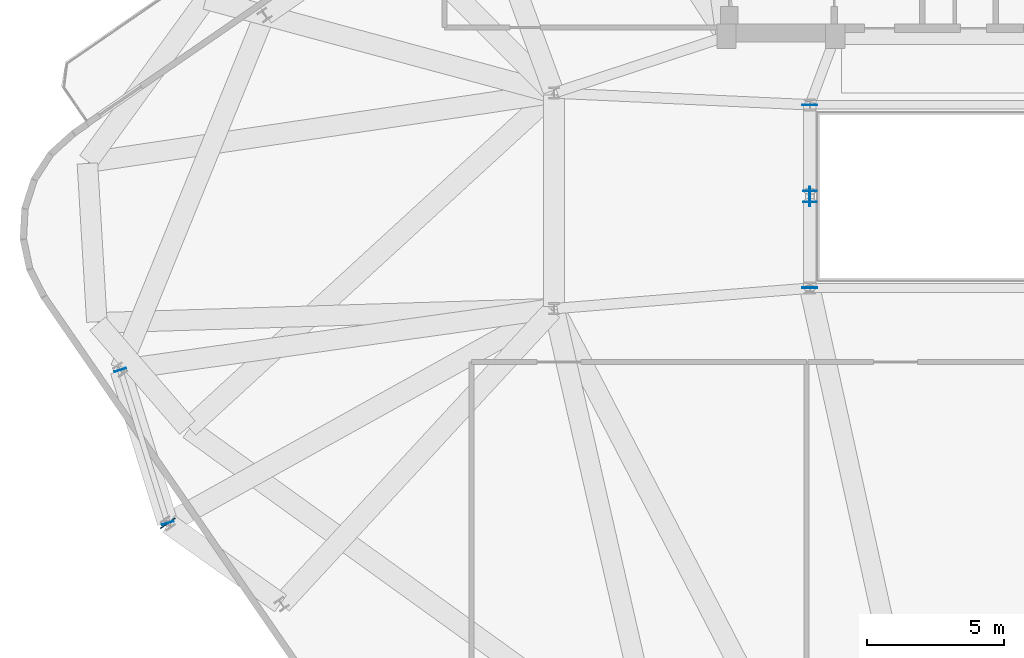
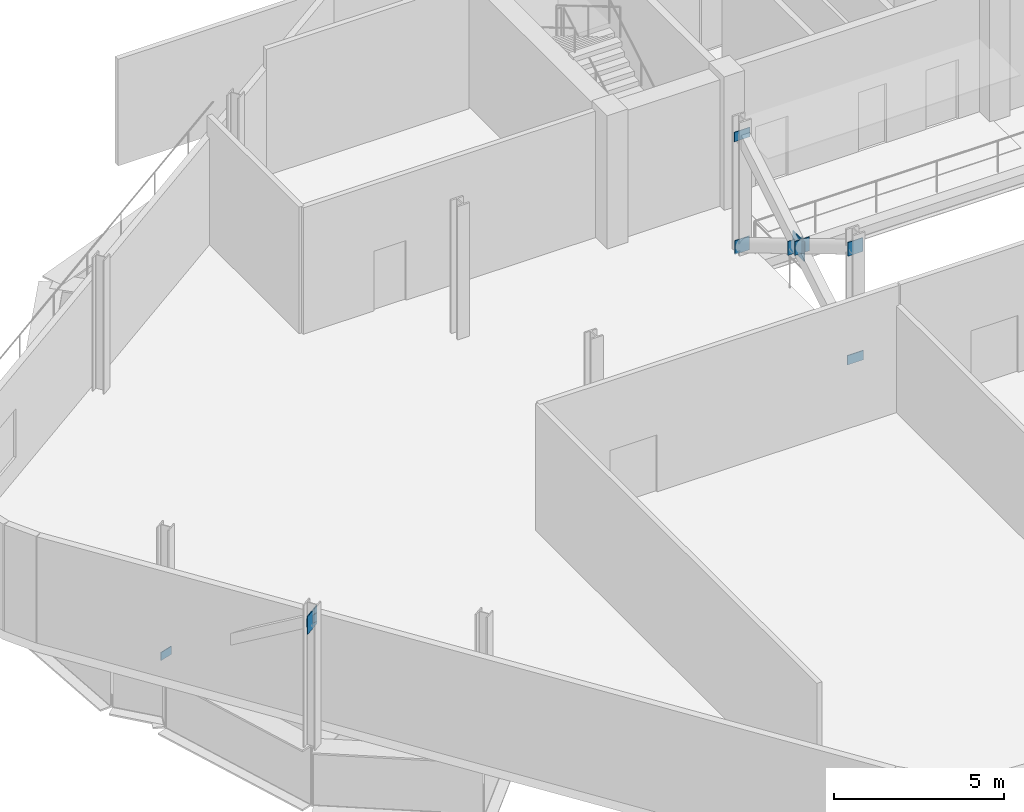
# One storey, part 5 of 13: 10 plates.
"""IFC4 building model written with IfcOpenShell, lengths in metres."""

from ifc_helpers import new_model, si_unit, direction, frame, origin, origin_2d, place, context, subcontext, project, spatial, rectangle, extrude, source, transform, mapped, material, layer, layer_set, type_object, element, save


model = new_model("IFC4")

# Units and contexts
model_context = context("Model", 3, precision=1e-05, world=origin(), true_north=direction((0.0, 1.0)))
body_context = subcontext(model_context, "Body", "Model", "MODEL_VIEW")
ifc_project = project(units=[si_unit("LENGTHUNIT", "METRE"), si_unit("AREAUNIT", "SQUARE_METRE"), si_unit("VOLUMEUNIT", "CUBIC_METRE"), si_unit("PLANEANGLEUNIT", "RADIAN"), si_unit("MASSUNIT", "GRAM", prefix="KILO")], contexts=[model_context])

# Site, building, storey
site_placement = place(None, origin())
site = spatial("IfcSite", under=ifc_project, at=site_placement, CompositionType="ELEMENT")
building_placement = place(site_placement, origin())
building = spatial("IfcBuilding", under=site, at=building_placement, Name="Varnelok Gate Tower", CompositionType="ELEMENT")
storey_placement = place(building_placement, frame((0.0, 0.0, 253.39990234375)))
storey = spatial("IfcBuildingStorey", under=building, at=storey_placement, Name="L65", CompositionType="ELEMENT", Elevation=253.39990234375)

# Plates
ifc_material = material(Name="Structural Steel ASTM A572 Grade 50", Category="steel")
ifc_layer_1 = layer(ifc_material, 0.02490234375)
ifc_layer_set_1 = layer_set([ifc_layer_1], Name="Structural Steel ASTM A572 Grade 50")
plate_type_1 = type_object("IfcPlateType", Name="PLT-ENDCAP-25", PredefinedType="SHEET", material=ifc_layer_set_1)
shared_shape_1 = source(origin(), body_context, "Body", "SweptSolid", [
    extrude(rectangle(XDim=0.02490234375, YDim=0.43994140625, at=origin_2d()), origin(), (0.0, 0.0, 1.0), 0.2900390625),
])
for number, where, z_axis, x_axis, name in (
    (1, (8.546630859375, 16.5576171875, 0.062744140625), (0.0, 0.0, 1.0), (0.296291541179, -0.955097546131, 0.0), "L65 hollow member sealed end plate 1"),
    (2, (10.281005859375, 10.966796875, 4.04736328125), (0.0, 0.0, 1.0), (0.296291541179, -0.955097546131, 0.0), "L65 hollow member sealed end plate 2"),
):
    element("IfcPlate", number, at=place(storey_placement, frame(where, z_axis=z_axis, x_axis=x_axis)), inside=storey, type_object=plate_type_1, Name=name, PredefinedType="SHEET", context=body_context, shape_type="MappedRepresentation", body=[
        mapped(shared_shape_1, transform((0.0, 0.0, 0.0), scale=1.0)),
    ])
ifc_layer_2 = layer(ifc_material, 0.031982421875)
ifc_layer_set_2 = layer_set([ifc_layer_2], Name="Structural Steel ASTM A572 Grade 50")
plate_type_2 = type_object("IfcPlateType", Name="PLT-GUSSET-32", PredefinedType="USERDEFINED", material=ifc_layer_set_2)
shared_shape_2 = source(origin(), body_context, "Body", "SweptSolid", [
    extrude(rectangle(XDim=0.64990234375, YDim=0.031982421875, at=origin_2d()), origin(), (0.0, 0.0, 1.0), 0.64990234375),
])
plate_1_placement = place(storey_placement, frame((10.284423828125, 10.955810546875, 3.875244140625), z_axis=(0.0, 0.0, 1.0), x_axis=(0.823532597628, 0.567268949127, 0.0)))
element("IfcPlate", 3, at=plate_1_placement, inside=storey, type_object=plate_type_2, Name="L65 Belt Truss Node Gusset Plate BN-2", ObjectType="GUSSET PLATE", PredefinedType="USERDEFINED", context=body_context, shape_type="MappedRepresentation", body=[
    mapped(shared_shape_2, transform((0.0, 0.0, 0.0), scale=1.0)),
])
shared_shape_3 = source(origin(), body_context, "Body", "SweptSolid", [
    extrude(rectangle(XDim=0.02490234375, YDim=0.5400390625, at=origin_2d()), origin(), (0.0, 0.0, 1.0), 0.340087890625),
])
for number, where, z_axis, x_axis, name in (
    (4, (33.75, 19.561767578125, 0.037109375), (0.0, 0.0, 1.0), (0.0, 1.0, 0.0), "L65 hollow member sealed end plate 1"),
    (5, (33.75, 26.23828125, 4.02294921875), (0.0, 0.0, 1.0), (0.0, 1.0, 0.0), "L65 hollow member sealed end plate 2"),
):
    element("IfcPlate", number, at=place(storey_placement, frame(where, z_axis=z_axis, x_axis=x_axis)), inside=storey, type_object=plate_type_1, Name=name, PredefinedType="SHEET", context=body_context, shape_type="MappedRepresentation", body=[
        mapped(shared_shape_3, transform((0.0, 0.0, 0.0), scale=1.0)),
    ])
shared_shape_4 = source(origin(), body_context, "Body", "SweptSolid", [
    extrude(rectangle(XDim=0.699951171875, YDim=0.031982421875, at=origin_2d()), origin(), (0.0, 0.0, 1.0), 0.699951171875),
])
plate_2_placement = place(storey_placement, frame((33.75, 22.89990234375, 1.85009765625), z_axis=(0.0, 0.0, 1.0), x_axis=(0.0, -1.0, 0.0)))
element("IfcPlate", 6, at=plate_2_placement, inside=storey, type_object=plate_type_2, Name="L65 Outrigger X-Brace Gusset Plate XN-1", ObjectType="GUSSET PLATE", PredefinedType="USERDEFINED", context=body_context, shape_type="MappedRepresentation", body=[
    mapped(shared_shape_4, transform((0.0, 0.0, 0.0), scale=1.0)),
])
shared_shape_5 = source(origin(), body_context, "Body", "SweptSolid", [
    extrude(rectangle(XDim=0.02490234375, YDim=0.5, at=origin_2d()), origin(), (0.0, 0.0, 1.0), 0.5),
])
for number, where, z_axis, x_axis, name in (
    (7, (33.75, 26.23828125, -0.04296875), (0.0, 0.0, 1.0), (0.0, -1.0, 0.0), "L65 hollow member sealed end plate 1"),
    (8, (33.75, 23.1005859375, 1.830322265625), (0.0, 0.0, 1.0), (0.0, -1.0, 0.0), "L65 hollow member sealed end plate 2"),
    (9, (33.75, 22.69921875, 2.06982421875), (0.0, 0.0, 1.0), (0.0, -1.0, 0.0), "L65 hollow member sealed end plate 1"),
    (10, (33.75, 19.561767578125, 3.943115234375), (0.0, 0.0, 1.0), (0.0, -1.0, 0.0), "L65 hollow member sealed end plate 2"),
):
    element("IfcPlate", number, at=place(storey_placement, frame(where, z_axis=z_axis, x_axis=x_axis)), inside=storey, type_object=plate_type_1, Name=name, PredefinedType="SHEET", context=body_context, shape_type="MappedRepresentation", body=[
        mapped(shared_shape_5, transform((0.0, 0.0, 0.0), scale=1.0)),
    ])

save(model, "model.ifc")
